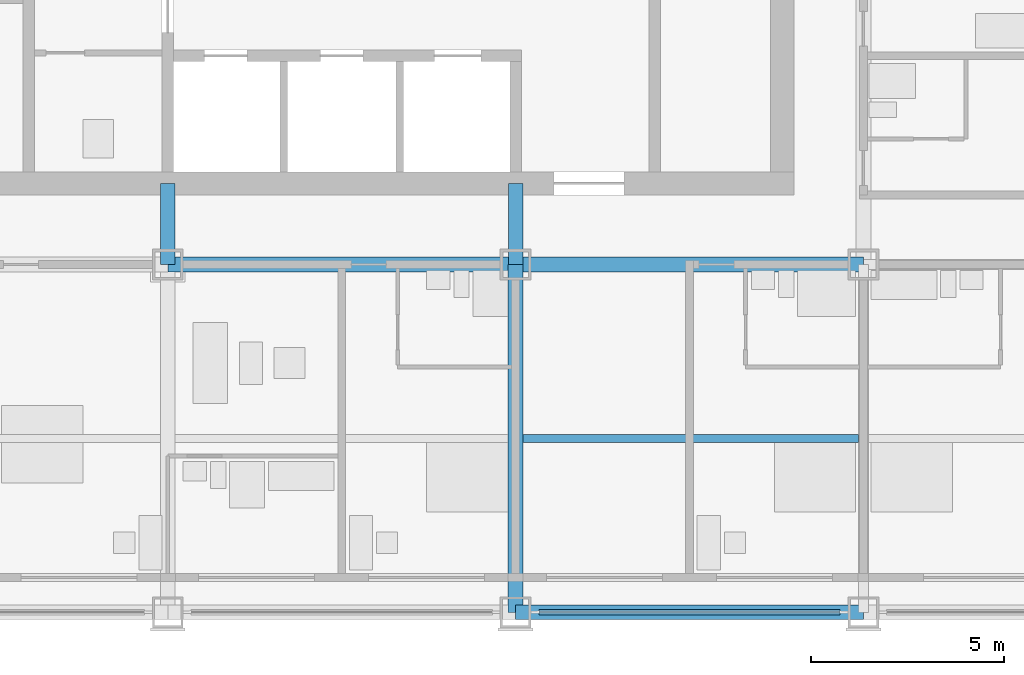
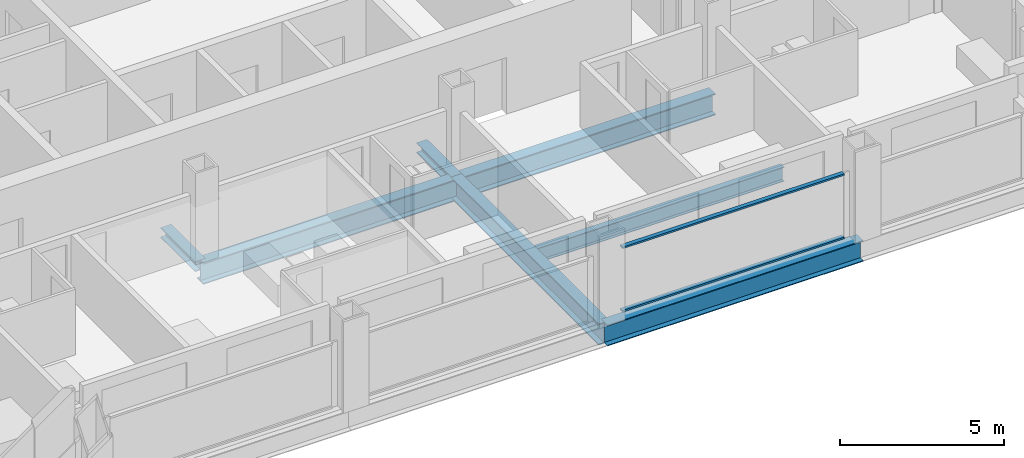
# One storey, part 3 of 16: 5 beams, 4 members, 1 element without a shape of its own.
"""IFC4 building model written with IfcOpenShell, lengths in metres."""

from ifc_helpers import new_model, si_unit, direction, frame, origin, origin_2d, place, context, subcontext, project, spatial, rectangle, i_section, extrude, material, material_profile, profile_set, type_object, element, aggregate, save


model = new_model("IFC4")

# Units and contexts
model_context = context("Model", 3, precision=1e-05, world=origin(), true_north=direction((0.0, 1.0)))
body_context = subcontext(model_context, "Body", "Model", "MODEL_VIEW")
ifc_project = project(units=[si_unit("LENGTHUNIT", "METRE"), si_unit("AREAUNIT", "SQUARE_METRE"), si_unit("VOLUMEUNIT", "CUBIC_METRE"), si_unit("PLANEANGLEUNIT", "RADIAN"), si_unit("MASSUNIT", "GRAM", prefix="KILO")], contexts=[model_context])

# Site, building, storey
site_placement = place(None, origin())
site = spatial("IfcSite", under=ifc_project, at=site_placement, CompositionType="ELEMENT")
building_placement = place(site_placement, origin())
building = spatial("IfcBuilding", under=site, at=building_placement, Name="Loomwork Tower", CompositionType="ELEMENT")
storey_placement = place(building_placement, frame((0.0, 0.0, 124.800048828125)))
storey = spatial("IfcBuildingStorey", under=building, at=storey_placement, Name="L33", CompositionType="ELEMENT", Elevation=124.800048828125)

# Beams
ifc_material_1 = material(Name="Steel ASTM A992", Category="steel")
ifc_material_profile_1 = material_profile(ifc_material_1, i_section(OverallWidth=0.383544921875, OverallDepth=0.794921875, WebThickness=0.02099609375, FlangeThickness=0.0380859375, at=origin_2d()), Name="W30x235")
ifc_profile_set_1 = profile_set([ifc_material_profile_1], Name="Steel ASTM A992")
beam_type_1 = type_object("IfcBeamType", Name="CORE FLANK GIRDER W30x235", PredefinedType="BEAM", material=ifc_profile_set_1)
for number, where, z_axis, x_axis, name in (
    (1, (18.0, 9.0, -0.59765625), (1.0, 0.0, 0.0), (0.0, 1.0, 0.0), "Core Flank Girder E/4-E/5 L33"),
    (2, (27.0, 9.0, -0.59765625), (1.0, 0.0, 0.0), (0.0, 1.0, 0.0), "Core Flank Girder E/5-E/6 L33"),
    (3, (27.0, 0.0, -0.59765625), (0.0, 1.0, 0.0), (-1.0, 0.0, 0.0), "Core Flank Girder D/5-E/5 L33"),
):
    element("IfcBeam", number, at=place(storey_placement, frame(where, z_axis=z_axis, x_axis=x_axis)), inside=storey, type_object=beam_type_1, Name=name, PredefinedType="BEAM", context=body_context, shape_type="SweptSolid", body=[
        extrude(i_section(OverallWidth=0.383544921875, OverallDepth=0.794921875, WebThickness=0.02099609375, FlangeThickness=0.0380859375, at=origin_2d()), origin(), (0.0, 0.0, 1.0), 9.0),
    ])

# Members
ifc_material_2 = material(Name="Steel ASTM A992", Category="steel")
ifc_material_profile_2 = material_profile(ifc_material_2, i_section(OverallWidth=0.373291015625, OverallDepth=0.373291015625, WebThickness=0.016357421875, FlangeThickness=0.026123046875, at=origin_2d()), Name="W14x132")
ifc_profile_set_2 = profile_set([ifc_material_profile_2], Name="Steel ASTM A992")
member_type_1 = type_object("IfcMemberType", Name="CORE LINK STRUT W14x132", PredefinedType="STRUT", material=ifc_profile_set_2)
for number, where, z_axis, x_axis, name in (
    (4, (27.0, 9.0, -0.38671875), (0.0, 1.0, 0.0), (-1.0, 0.0, 0.0), "Core link strut E/5-27.000,11.100 L33"),
    (5, (18.0, 9.0, -0.38671875), (0.0, 1.0, 0.0), (-1.0, 0.0, 0.0), "Core link strut E/4-18.000,11.100 L33"),
):
    element("IfcMember", number, at=place(storey_placement, frame(where, z_axis=z_axis, x_axis=x_axis)), inside=storey, type_object=member_type_1, Name=name, PredefinedType="STRUT", context=body_context, shape_type="SweptSolid", body=[
        extrude(i_section(OverallWidth=0.373291015625, OverallDepth=0.373291015625, WebThickness=0.016357421875, FlangeThickness=0.026123046875, at=origin_2d()), origin(), (0.0, 0.0, 1.0), 2.10009765625),
    ])

# Beam
ifc_material_3 = material(Name="Steel ASTM A992", Category="steel")
ifc_material_profile_3 = material_profile(ifc_material_3, i_section(OverallWidth=0.2109375, OverallDepth=0.53857421875, WebThickness=0.011474609375, FlangeThickness=0.018798828125, at=origin_2d()), Name="W21x73")
ifc_profile_set_3 = profile_set([ifc_material_profile_3], Name="Steel ASTM A992")
beam_type_2 = type_object("IfcBeamType", Name="FLOOR JOIST W21x73", PredefinedType="JOIST", material=ifc_profile_set_3)
beam_1_placement = place(storey_placement, frame((27.19091796875, 4.5, -0.46923828125), z_axis=(1.0, 0.0, 0.0), x_axis=(0.0, 1.0, 0.0)))
element("IfcBeam", 6, at=beam_1_placement, inside=storey, type_object=beam_type_2, Name="Floor Joist 27.000,4.500-36.000,4.500 L33", PredefinedType="JOIST", context=body_context, shape_type="SweptSolid", body=[
    extrude(i_section(OverallWidth=0.2109375, OverallDepth=0.53857421875, WebThickness=0.011474609375, FlangeThickness=0.018798828125, at=origin_2d()), origin(), (0.0, 0.0, 1.0), 8.676025390625),
])

# Curtain wall, members
ifc_material_4 = material(Name="Aluminium curtain wall frame", Category="aluminium")
curtain_wall_type = type_object("IfcCurtainWallType", Name="Outer skin glazing hotel", PredefinedType="NOTDEFINED", material=ifc_material_4)
curtain_wall_placement = place(storey_placement, origin())
curtain_wall = element("IfcCurtainWall", 7, at=curtain_wall_placement, inside=storey, type_object=curtain_wall_type, Name="Outer skin glazing hotel cw/S-27", PredefinedType="NOTDEFINED")
ifc_material_5 = material(Name="Aluminium curtain wall frame", Category="aluminium")
ifc_material_profile_4 = material_profile(ifc_material_5, rectangle(XDim=0.14990234375, YDim=0.06494140625, at=origin_2d()), Name="AL 65x150")
ifc_profile_set_4 = profile_set([ifc_material_profile_4], Name="Aluminium curtain wall frame")
member_type_2 = type_object("IfcMemberType", Name="Outer skin glazing hotel transom", PredefinedType="USERDEFINED", material=ifc_profile_set_4)
member_1_placement = place(storey_placement, frame((27.60009765625, 0.0, 0.032470703125), z_axis=(1.0, 0.0, 0.0), x_axis=(0.0, 1.0, 0.0)))
member_1 = element("IfcMember", 8, at=member_1_placement, type_object=member_type_2, Name="CW1 transom 1.1", ObjectType="TRANSOM", PredefinedType="USERDEFINED", context=body_context, shape_type="SweptSolid", body=[
    extrude(rectangle(XDim=0.14990234375, YDim=0.06494140625, at=origin_2d()), origin(), (0.0, 0.0, 1.0), 7.7998046875),
])
member_2_placement = place(storey_placement, frame((27.60009765625, 0.0, 2.3876953125), z_axis=(1.0, 0.0, 0.0), x_axis=(0.0, 1.0, 0.0)))
member_2 = element("IfcMember", 9, at=member_2_placement, type_object=member_type_2, Name="CW1 transom 1.2", ObjectType="TRANSOM", PredefinedType="USERDEFINED", context=body_context, shape_type="SweptSolid", body=[
    extrude(rectangle(XDim=0.14990234375, YDim=0.06494140625, at=origin_2d()), origin(), (0.0, 0.0, 1.0), 7.7998046875),
])
aggregate(curtain_wall, [member_1, member_2])

# Beam
ifc_material_6 = material(Name="Steel ASTM A992", Category="steel")
ifc_material_profile_5 = material_profile(ifc_material_6, i_section(OverallWidth=0.381103515625, OverallDepth=0.77978515625, WebThickness=0.01806640625, FlangeThickness=0.0302734375, at=origin_2d()), Name="W30x191")
ifc_profile_set_5 = profile_set([ifc_material_profile_5], Name="Steel ASTM A992")
beam_type_3 = type_object("IfcBeamType", Name="SPANDREL GIRDER W30x191", PredefinedType="SPANDREL", material=ifc_profile_set_5)
beam_2_placement = place(storey_placement, frame((27.0, 0.0, -0.58984375), z_axis=(1.0, 0.0, 0.0), x_axis=(0.0, 1.0, 0.0)))
element("IfcBeam", 10, at=beam_2_placement, inside=storey, type_object=beam_type_3, Name="Spandrel Girder D/5-D/6 L33", PredefinedType="SPANDREL", context=body_context, shape_type="SweptSolid", body=[
    extrude(i_section(OverallWidth=0.381103515625, OverallDepth=0.77978515625, WebThickness=0.01806640625, FlangeThickness=0.0302734375, at=origin_2d()), origin(), (0.0, 0.0, 1.0), 9.0),
])

save(model, "model.ifc")
